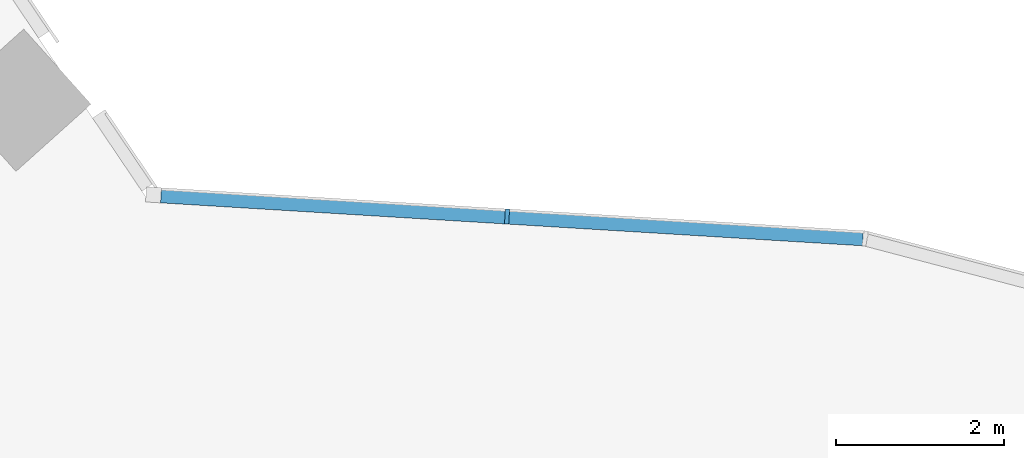
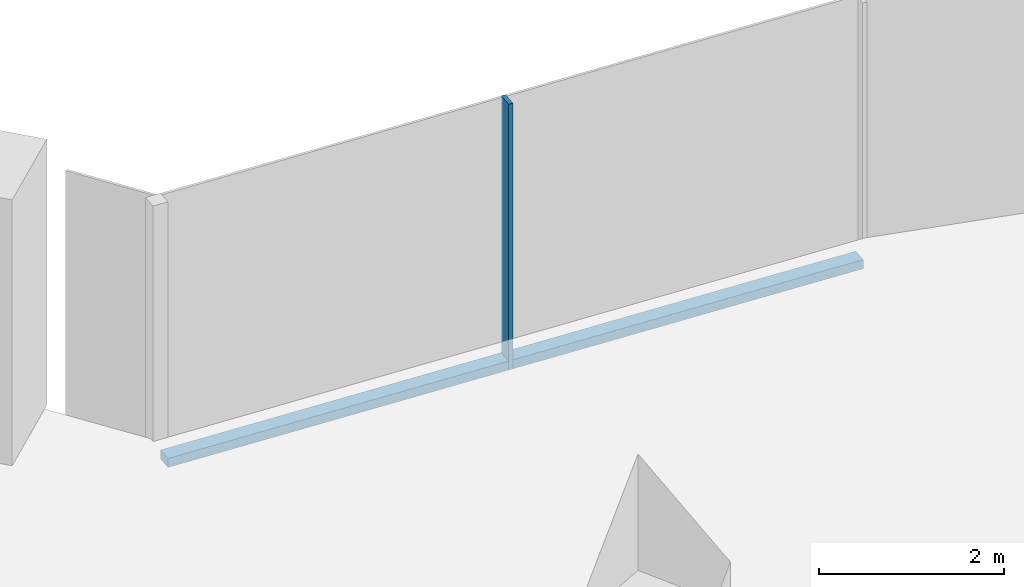
# One storey, part 11 of 25: 2 members, 1 element without a shape of its own.
"""IFC4 building model written with IfcOpenShell, lengths in metres."""

from ifc_helpers import new_model, si_unit, direction, frame, origin, origin_2d, place, context, subcontext, project, spatial, rectangle, extrude, material, material_profile, profile_set, type_object, element, aggregate, save


model = new_model("IFC4")

# Units and contexts
model_context = context("Model", 3, precision=1e-05, world=origin(), true_north=direction((0.0, 1.0)))
body_context = subcontext(model_context, "Body", "Model", "MODEL_VIEW")
ifc_project = project(units=[si_unit("LENGTHUNIT", "METRE"), si_unit("AREAUNIT", "SQUARE_METRE"), si_unit("VOLUMEUNIT", "CUBIC_METRE"), si_unit("PLANEANGLEUNIT", "RADIAN"), si_unit("MASSUNIT", "GRAM", prefix="KILO")], contexts=[model_context])

# Site, building, storey
site_placement = place(None, origin())
site = spatial("IfcSite", under=ifc_project, at=site_placement, CompositionType="ELEMENT")
building_placement = place(site_placement, origin())
building = spatial("IfcBuilding", under=site, at=building_placement, Name="Orlundy Tower", CompositionType="ELEMENT")
storey_placement = place(building_placement, frame((0.0, 0.0, 159.60009765625)))
storey = spatial("IfcBuildingStorey", under=building, at=storey_placement, Name="L41", CompositionType="ELEMENT", Elevation=159.60009765625)

# Curtain wall, members
ifc_material_1 = material(Name="Aluminium bronze anodised", Category="aluminium")
curtain_wall_type = type_object("IfcCurtainWallType", Name="CW1 wall", PredefinedType="NOTDEFINED", material=ifc_material_1)
curtain_wall_placement = place(storey_placement, origin())
curtain_wall = element("IfcCurtainWall", 1, at=curtain_wall_placement, inside=storey, type_object=curtain_wall_type, Name="CW1 run 06", PredefinedType="NOTDEFINED")
ifc_material_2 = material(Name="Aluminium bronze anodised", Category="aluminium")
ifc_material_profile_1 = material_profile(ifc_material_2, rectangle(XDim=0.179931640625, YDim=0.050048828125, at=origin_2d()), Name="CW1 mullion 50x180")
ifc_profile_set_1 = profile_set([ifc_material_profile_1], Name="Aluminium bronze anodised")
member_type_1 = type_object("IfcMemberType", Name="CW1 mullion 50x180", PredefinedType="MULLION", material=ifc_profile_set_1)
member_1_placement = place(storey_placement, frame((27.910400390625, 18.42041015625, -0.400146484375), z_axis=(0.0, 0.0, 1.0), x_axis=(0.061064785376, 0.998133804651, 0.0)))
member_1 = element("IfcMember", 2, at=member_1_placement, type_object=member_type_1, Name="CW1 mullion 27", PredefinedType="MULLION", context=body_context, shape_type="SweptSolid", body=[
    extrude(rectangle(XDim=0.179931640625, YDim=0.050048828125, at=origin_2d()), origin(), (0.0, 0.0, 1.0), 3.5),
])
ifc_material_3 = material(Name="Aluminium bronze anodised", Category="aluminium")
ifc_material_profile_2 = material_profile(ifc_material_3, rectangle(XDim=0.179931640625, YDim=0.1201171875, at=origin_2d()), Name="CW1 transom 180x120")
ifc_profile_set_2 = profile_set([ifc_material_profile_2], Name="Aluminium bronze anodised")
member_type_2 = type_object("IfcMemberType", Name="CW1 transom 180x120", PredefinedType="USERDEFINED", material=ifc_profile_set_2)
member_2_placement = place(storey_placement, frame((23.78662109375, 18.672607421875, -0.340087890625), z_axis=(0.998134440469, -0.061054391736, 0.0), x_axis=(0.061054391736, 0.998134440469, 0.0)))
member_2 = element("IfcMember", 3, at=member_2_placement, type_object=member_type_2, Name="CW1 transom", ObjectType="TRANSOM", PredefinedType="USERDEFINED", context=body_context, shape_type="SweptSolid", body=[
    extrude(rectangle(XDim=0.179931640625, YDim=0.1201171875, at=origin_2d()), origin(), (0.0, 0.0, 1.0), 8.38134765625),
])
aggregate(curtain_wall, [member_1, member_2])

save(model, "model.ifc")
